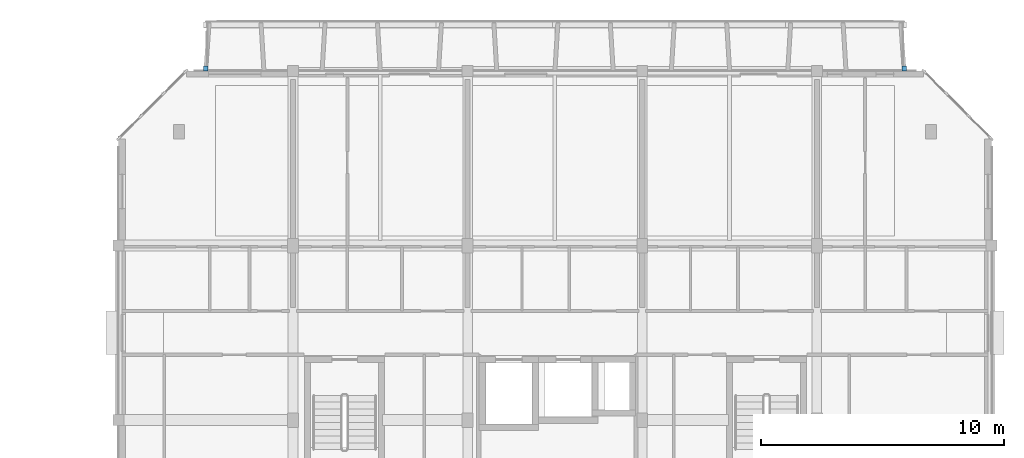
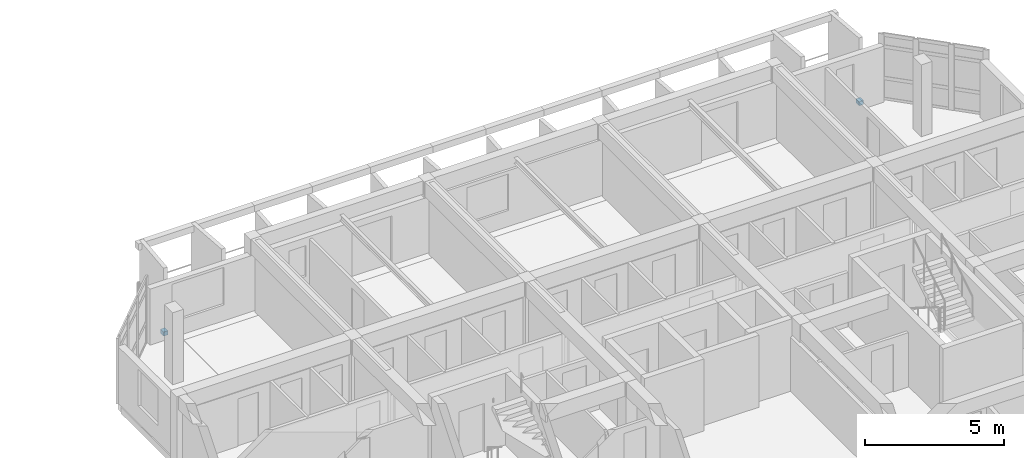
# One storey, part 25 of 31: 2 discrete accessories.
"""IFC4 building model written with IfcOpenShell, lengths in metres."""

from ifc_helpers import new_model, si_unit, direction, frame, origin, origin_2d, place, context, subcontext, project, spatial, rectangle, extrude, material, type_object, element, save


model = new_model("IFC4")

# Units and contexts
model_context = context("Model", 3, precision=1e-05, world=origin(), true_north=direction((0.0, 1.0)))
body_context = subcontext(model_context, "Body", "Model", "MODEL_VIEW")
ifc_project = project(units=[si_unit("LENGTHUNIT", "METRE"), si_unit("AREAUNIT", "SQUARE_METRE"), si_unit("VOLUMEUNIT", "CUBIC_METRE"), si_unit("PLANEANGLEUNIT", "RADIAN"), si_unit("MASSUNIT", "GRAM", prefix="KILO")], contexts=[model_context])

# Site, building, storey
site_placement = place(None, origin())
site = spatial("IfcSite", under=ifc_project, at=site_placement, CompositionType="ELEMENT")
building_placement = place(site_placement, origin())
building = spatial("IfcBuilding", under=site, at=building_placement, Name="Ochrevale Crest", CompositionType="ELEMENT")
storey_placement = place(building_placement, frame((0.0, 0.0, 37.050048828125)))
storey = spatial("IfcBuildingStorey", under=building, at=storey_placement, Name="L11", CompositionType="ELEMENT", Elevation=37.050048828125)

# Discrete accessories
ifc_material = material(Name="Galvanised steel", Category="steel")
discrete_accessory_type = type_object("IfcDiscreteAccessoryType", Name="ACC-BRK-HC", PredefinedType="BRACKET", material=ifc_material)
for number, where, z_axis, x_axis, name in (
    (1, (133.199951171875, 93.699951171875, 0.0), (0.0, 0.0, 1.0), (1.0, 0.0, 0.0), "Block D L11 precast loggia corbel bracket"),
    (2, (162.0, 93.699951171875, 0.0), (0.0, 0.0, 1.0), (1.0, 0.0, 0.0), "Block D L11 precast loggia corbel bracket"),
):
    element("IfcDiscreteAccessory", number, at=place(storey_placement, frame(where, z_axis=z_axis, x_axis=x_axis)), inside=storey, type_object=discrete_accessory_type, Name=name, PredefinedType="BRACKET", context=body_context, shape_type="SweptSolid", body=[
        extrude(rectangle(XDim=0.179931640625, YDim=0.219970703125, at=origin_2d()), origin(), (0.0, 0.0, 1.0), 0.179931640625),
    ])

save(model, "model.ifc")
